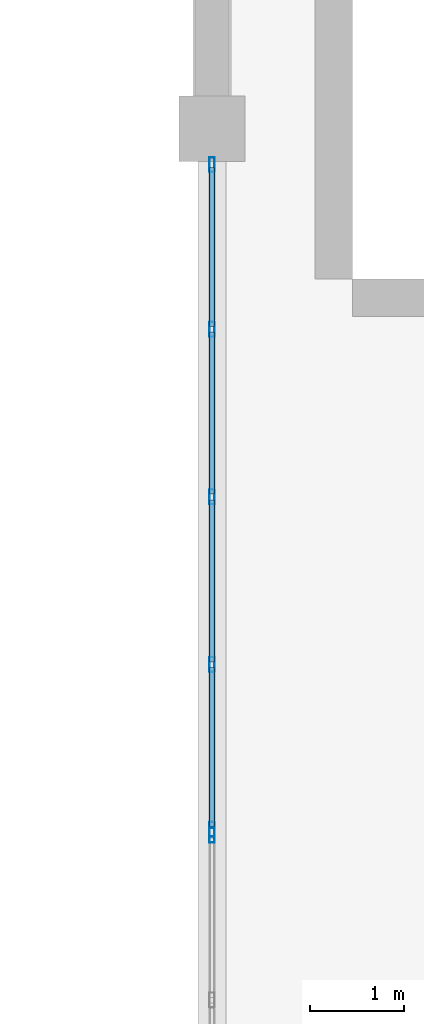
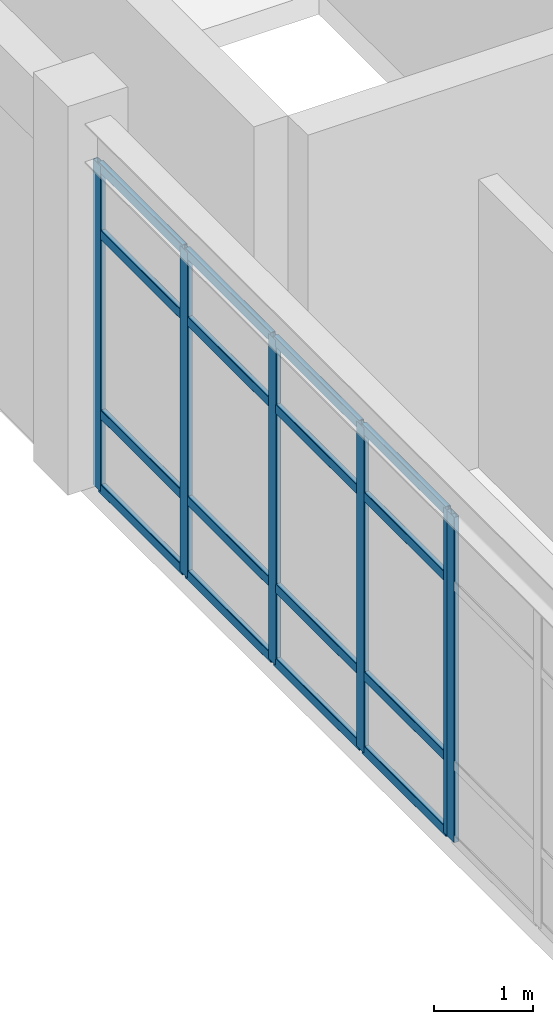
# One storey, part 20 of 64: 22 members, 2 elements without a shape of their own.
"""IFC4 building model written with IfcOpenShell, lengths in metres."""

from ifc_helpers import new_model, si_unit, derived_unit, direction, frame, origin, origin_2d, place, context, subcontext, project, spatial, hollow_rectangle, extrude, material, layer, layer_set, material_profile, profile_set, type_object, element, aggregate, save


model = new_model("IFC4")

# Units and contexts
model_context = context("Model", 3, precision=1e-05, world=origin(), true_north=direction((0.0, 1.0)))
body_context = subcontext(model_context, "Body", "Model", "MODEL_VIEW")
ifc_project = project(units=[si_unit("LENGTHUNIT", "METRE"), si_unit("AREAUNIT", "SQUARE_METRE"), si_unit("VOLUMEUNIT", "CUBIC_METRE"), si_unit("PLANEANGLEUNIT", "RADIAN"), si_unit("MASSUNIT", "GRAM", prefix="KILO"), derived_unit("THERMALTRANSMITTANCEUNIT", [(si_unit("MASSUNIT", "GRAM", prefix="KILO"), 1), (si_unit("TIMEUNIT", "SECOND"), -3), (si_unit("THERMODYNAMICTEMPERATUREUNIT", "KELVIN"), -1)])], contexts=[model_context])

# Site, building, storey
site_placement = place(None, origin())
site = spatial("IfcSite", under=ifc_project, at=site_placement, CompositionType="ELEMENT")
building_placement = place(site_placement, origin())
building = spatial("IfcBuilding", under=site, at=building_placement, Name="Qinzheling Arcade Emporium", CompositionType="ELEMENT")
storey_placement = place(building_placement, frame((0.0, 0.0, 31.5)))
storey = spatial("IfcBuildingStorey", under=building, at=storey_placement, Name="L07", CompositionType="ELEMENT", Elevation=31.5)

# Curtain wall, member
ifc_material_1 = material(Name="Anodised aluminium and solar-control double glazing", Category="aluminium")
ifc_layer = layer(ifc_material_1, 0.159912109375, Name="Anodised aluminium and solar-control double glazing", Category="aluminium")
ifc_layer_set = layer_set([ifc_layer], Name="Anodised aluminium and solar-control double glazing")
curtain_wall_type = type_object("IfcCurtainWallType", Name="Atrium Clerestory Curtain Wall", PredefinedType="NOTDEFINED", material=ifc_layer_set)
curtain_wall_1_placement = place(storey_placement, origin())
curtain_wall_1 = element("IfcCurtainWall", 1, at=curtain_wall_1_placement, inside=storey, type_object=curtain_wall_type, Name="Curtain Wall CW-L07-415", PredefinedType="NOTDEFINED")
ifc_material_2 = material(Name="Anodised aluminium 6063-T6", Category="aluminium")
ifc_material_profile_1 = material_profile(ifc_material_2, hollow_rectangle(XDim=0.06005859375, YDim=0.159912109375, WallThickness=0.00390625, InnerFilletRadius=0.00390625, OuterFilletRadius=0.008056640625, at=origin_2d()), Name="RHS 160x60x4", Category="aluminium")
ifc_profile_set_1 = profile_set([ifc_material_profile_1], Name="Anodised aluminium 6063-T6")
member_type_1 = type_object("IfcMemberType", Name="Curtain Wall Mullion RHS160x60", PredefinedType="MULLION", material=ifc_profile_set_1)
member_1_placement = place(storey_placement, frame((34.800048828125, 57.867919921875, 0.0), z_axis=(0.0, 0.0, 1.0), x_axis=(-1.0, 0.0, 0.0)))
member_1 = element("IfcMember", 2, at=member_1_placement, type_object=member_type_1, Name="CW03 mullion 5", PredefinedType="MULLION", context=body_context, shape_type="SweptSolid", body=[
    extrude(hollow_rectangle(XDim=0.06005859375, YDim=0.159912109375, WallThickness=0.00390625, InnerFilletRadius=0.00390625, OuterFilletRadius=0.008056640625, at=origin_2d()), origin(), (0.0, 0.0, 1.0), 4.01708984375),
])
aggregate(curtain_wall_1, [member_1])

# Curtain wall, members
curtain_wall_2_placement = place(storey_placement, origin())
curtain_wall_2 = element("IfcCurtainWall", 3, at=curtain_wall_2_placement, inside=storey, type_object=curtain_wall_type, Name="Curtain Wall CW-L07-416", PredefinedType="NOTDEFINED")
member_2_placement = place(storey_placement, frame((34.800048828125, 57.931884765625, 0.0), z_axis=(0.0, 0.0, 1.0), x_axis=(-1.0, 0.0, 0.0)))
member_2 = element("IfcMember", 4, at=member_2_placement, type_object=member_type_1, Name="CW03 mullion 1", PredefinedType="MULLION", context=body_context, shape_type="SweptSolid", body=[
    extrude(hollow_rectangle(XDim=0.06005859375, YDim=0.159912109375, WallThickness=0.00390625, InnerFilletRadius=0.00390625, OuterFilletRadius=0.008056640625, at=origin_2d()), origin(), (0.0, 0.0, 1.0), 4.01708984375),
])
member_3_placement = place(storey_placement, frame((34.800048828125, 59.6884765625, 0.0), z_axis=(0.0, 0.0, 1.0), x_axis=(-1.0, 0.0, 0.0)))
member_3 = element("IfcMember", 5, at=member_3_placement, type_object=member_type_1, Name="CW03 mullion 2", PredefinedType="MULLION", context=body_context, shape_type="SweptSolid", body=[
    extrude(hollow_rectangle(XDim=0.06005859375, YDim=0.159912109375, WallThickness=0.00390625, InnerFilletRadius=0.00390625, OuterFilletRadius=0.008056640625, at=origin_2d()), origin(), (0.0, 0.0, 1.0), 4.01708984375),
])
member_4_placement = place(storey_placement, frame((34.800048828125, 61.47509765625, 0.0), z_axis=(0.0, 0.0, 1.0), x_axis=(-1.0, 0.0, 0.0)))
member_4 = element("IfcMember", 6, at=member_4_placement, type_object=member_type_1, Name="CW03 mullion 3", PredefinedType="MULLION", context=body_context, shape_type="SweptSolid", body=[
    extrude(hollow_rectangle(XDim=0.06005859375, YDim=0.159912109375, WallThickness=0.00390625, InnerFilletRadius=0.00390625, OuterFilletRadius=0.008056640625, at=origin_2d()), origin(), (0.0, 0.0, 1.0), 4.01708984375),
])
member_5_placement = place(storey_placement, frame((34.800048828125, 63.261474609375, 0.0), z_axis=(0.0, 0.0, 1.0), x_axis=(-1.0, 0.0, 0.0)))
member_5 = element("IfcMember", 7, at=member_5_placement, type_object=member_type_1, Name="CW03 mullion 4", PredefinedType="MULLION", context=body_context, shape_type="SweptSolid", body=[
    extrude(hollow_rectangle(XDim=0.06005859375, YDim=0.159912109375, WallThickness=0.00390625, InnerFilletRadius=0.00390625, OuterFilletRadius=0.008056640625, at=origin_2d()), origin(), (0.0, 0.0, 1.0), 4.01708984375),
])
member_6_placement = place(storey_placement, frame((34.800048828125, 65.01806640625, 0.0), z_axis=(0.0, 0.0, 1.0), x_axis=(-1.0, 0.0, 0.0)))
member_6 = element("IfcMember", 8, at=member_6_placement, type_object=member_type_1, Name="CW03 mullion 5", PredefinedType="MULLION", context=body_context, shape_type="SweptSolid", body=[
    extrude(hollow_rectangle(XDim=0.06005859375, YDim=0.159912109375, WallThickness=0.00390625, InnerFilletRadius=0.00390625, OuterFilletRadius=0.008056640625, at=origin_2d()), origin(), (0.0, 0.0, 1.0), 4.01708984375),
])
ifc_material_profile_2 = material_profile(ifc_material_2, hollow_rectangle(XDim=0.06005859375, YDim=0.1201171875, WallThickness=0.00390625, InnerFilletRadius=0.00390625, OuterFilletRadius=0.008056640625, at=origin_2d()), Name="RHS 120x60x4", Category="aluminium")
ifc_profile_set_2 = profile_set([ifc_material_profile_2], Name="Anodised aluminium 6063-T6")
member_type_2 = type_object("IfcMemberType", Name="Curtain Wall Transom RHS120x60", PredefinedType="USERDEFINED", material=ifc_profile_set_2)
member_7_placement = place(storey_placement, frame((34.800048828125, 57.9619140625, 0.030029296875), z_axis=(0.0, 1.0, 0.0), x_axis=(-1.0, 0.0, 0.0)))
member_7 = element("IfcMember", 9, at=member_7_placement, type_object=member_type_2, Name="CW03 transom 1.1", ObjectType="TRANSOM", PredefinedType="USERDEFINED", context=body_context, shape_type="SweptSolid", body=[
    extrude(hollow_rectangle(XDim=0.06005859375, YDim=0.1201171875, WallThickness=0.00390625, InnerFilletRadius=0.00390625, OuterFilletRadius=0.008056640625, at=origin_2d()), origin(), (0.0, 0.0, 1.0), 1.696533203125),
])
member_8_placement = place(storey_placement, frame((34.800048828125, 57.9619140625, 0.949951171875), z_axis=(0.0, 1.0, 0.0), x_axis=(-1.0, 0.0, 0.0)))
member_8 = element("IfcMember", 10, at=member_8_placement, type_object=member_type_2, Name="CW03 transom 1.2", ObjectType="TRANSOM", PredefinedType="USERDEFINED", context=body_context, shape_type="SweptSolid", body=[
    extrude(hollow_rectangle(XDim=0.06005859375, YDim=0.1201171875, WallThickness=0.00390625, InnerFilletRadius=0.00390625, OuterFilletRadius=0.008056640625, at=origin_2d()), origin(), (0.0, 0.0, 1.0), 1.696533203125),
])
member_9_placement = place(storey_placement, frame((34.800048828125, 57.9619140625, 3.1669921875), z_axis=(0.0, 1.0, 0.0), x_axis=(-1.0, 0.0, 0.0)))
member_9 = element("IfcMember", 11, at=member_9_placement, type_object=member_type_2, Name="CW03 transom 1.3", ObjectType="TRANSOM", PredefinedType="USERDEFINED", context=body_context, shape_type="SweptSolid", body=[
    extrude(hollow_rectangle(XDim=0.06005859375, YDim=0.1201171875, WallThickness=0.00390625, InnerFilletRadius=0.00390625, OuterFilletRadius=0.008056640625, at=origin_2d()), origin(), (0.0, 0.0, 1.0), 1.696533203125),
])
member_10_placement = place(storey_placement, frame((34.800048828125, 57.9619140625, 3.987060546875), z_axis=(0.0, 1.0, 0.0), x_axis=(-1.0, 0.0, 0.0)))
member_10 = element("IfcMember", 12, at=member_10_placement, type_object=member_type_2, Name="CW03 transom 1.4", ObjectType="TRANSOM", PredefinedType="USERDEFINED", context=body_context, shape_type="SweptSolid", body=[
    extrude(hollow_rectangle(XDim=0.06005859375, YDim=0.1201171875, WallThickness=0.00390625, InnerFilletRadius=0.00390625, OuterFilletRadius=0.008056640625, at=origin_2d()), origin(), (0.0, 0.0, 1.0), 1.696533203125),
])
member_11_placement = place(storey_placement, frame((34.800048828125, 59.718505859375, 0.030029296875), z_axis=(0.0, 1.0, 0.0), x_axis=(-1.0, 0.0, 0.0)))
member_11 = element("IfcMember", 13, at=member_11_placement, type_object=member_type_2, Name="CW03 transom 2.1", ObjectType="TRANSOM", PredefinedType="USERDEFINED", context=body_context, shape_type="SweptSolid", body=[
    extrude(hollow_rectangle(XDim=0.06005859375, YDim=0.1201171875, WallThickness=0.00390625, InnerFilletRadius=0.00390625, OuterFilletRadius=0.008056640625, at=origin_2d()), origin(), (0.0, 0.0, 1.0), 1.7265625),
])
member_12_placement = place(storey_placement, frame((34.800048828125, 59.718505859375, 0.949951171875), z_axis=(0.0, 1.0, 0.0), x_axis=(-1.0, 0.0, 0.0)))
member_12 = element("IfcMember", 14, at=member_12_placement, type_object=member_type_2, Name="CW03 transom 2.2", ObjectType="TRANSOM", PredefinedType="USERDEFINED", context=body_context, shape_type="SweptSolid", body=[
    extrude(hollow_rectangle(XDim=0.06005859375, YDim=0.1201171875, WallThickness=0.00390625, InnerFilletRadius=0.00390625, OuterFilletRadius=0.008056640625, at=origin_2d()), origin(), (0.0, 0.0, 1.0), 1.7265625),
])
member_13_placement = place(storey_placement, frame((34.800048828125, 59.718505859375, 3.1669921875), z_axis=(0.0, 1.0, 0.0), x_axis=(-1.0, 0.0, 0.0)))
member_13 = element("IfcMember", 15, at=member_13_placement, type_object=member_type_2, Name="CW03 transom 2.3", ObjectType="TRANSOM", PredefinedType="USERDEFINED", context=body_context, shape_type="SweptSolid", body=[
    extrude(hollow_rectangle(XDim=0.06005859375, YDim=0.1201171875, WallThickness=0.00390625, InnerFilletRadius=0.00390625, OuterFilletRadius=0.008056640625, at=origin_2d()), origin(), (0.0, 0.0, 1.0), 1.7265625),
])
member_14_placement = place(storey_placement, frame((34.800048828125, 59.718505859375, 3.987060546875), z_axis=(0.0, 1.0, 0.0), x_axis=(-1.0, 0.0, 0.0)))
member_14 = element("IfcMember", 16, at=member_14_placement, type_object=member_type_2, Name="CW03 transom 2.4", ObjectType="TRANSOM", PredefinedType="USERDEFINED", context=body_context, shape_type="SweptSolid", body=[
    extrude(hollow_rectangle(XDim=0.06005859375, YDim=0.1201171875, WallThickness=0.00390625, InnerFilletRadius=0.00390625, OuterFilletRadius=0.008056640625, at=origin_2d()), origin(), (0.0, 0.0, 1.0), 1.7265625),
])
member_15_placement = place(storey_placement, frame((34.800048828125, 61.5048828125, 0.030029296875), z_axis=(0.0, 1.0, 0.0), x_axis=(-1.0, 0.0, 0.0)))
member_15 = element("IfcMember", 17, at=member_15_placement, type_object=member_type_2, Name="CW03 transom 3.1", ObjectType="TRANSOM", PredefinedType="USERDEFINED", context=body_context, shape_type="SweptSolid", body=[
    extrude(hollow_rectangle(XDim=0.06005859375, YDim=0.1201171875, WallThickness=0.00390625, InnerFilletRadius=0.00390625, OuterFilletRadius=0.008056640625, at=origin_2d()), origin(), (0.0, 0.0, 1.0), 1.7265625),
])
member_16_placement = place(storey_placement, frame((34.800048828125, 61.5048828125, 0.949951171875), z_axis=(0.0, 1.0, 0.0), x_axis=(-1.0, 0.0, 0.0)))
member_16 = element("IfcMember", 18, at=member_16_placement, type_object=member_type_2, Name="CW03 transom 3.2", ObjectType="TRANSOM", PredefinedType="USERDEFINED", context=body_context, shape_type="SweptSolid", body=[
    extrude(hollow_rectangle(XDim=0.06005859375, YDim=0.1201171875, WallThickness=0.00390625, InnerFilletRadius=0.00390625, OuterFilletRadius=0.008056640625, at=origin_2d()), origin(), (0.0, 0.0, 1.0), 1.7265625),
])
member_17_placement = place(storey_placement, frame((34.800048828125, 61.5048828125, 3.1669921875), z_axis=(0.0, 1.0, 0.0), x_axis=(-1.0, 0.0, 0.0)))
member_17 = element("IfcMember", 19, at=member_17_placement, type_object=member_type_2, Name="CW03 transom 3.3", ObjectType="TRANSOM", PredefinedType="USERDEFINED", context=body_context, shape_type="SweptSolid", body=[
    extrude(hollow_rectangle(XDim=0.06005859375, YDim=0.1201171875, WallThickness=0.00390625, InnerFilletRadius=0.00390625, OuterFilletRadius=0.008056640625, at=origin_2d()), origin(), (0.0, 0.0, 1.0), 1.7265625),
])
member_18_placement = place(storey_placement, frame((34.800048828125, 61.5048828125, 3.987060546875), z_axis=(0.0, 1.0, 0.0), x_axis=(-1.0, 0.0, 0.0)))
member_18 = element("IfcMember", 20, at=member_18_placement, type_object=member_type_2, Name="CW03 transom 3.4", ObjectType="TRANSOM", PredefinedType="USERDEFINED", context=body_context, shape_type="SweptSolid", body=[
    extrude(hollow_rectangle(XDim=0.06005859375, YDim=0.1201171875, WallThickness=0.00390625, InnerFilletRadius=0.00390625, OuterFilletRadius=0.008056640625, at=origin_2d()), origin(), (0.0, 0.0, 1.0), 1.7265625),
])
member_19_placement = place(storey_placement, frame((34.800048828125, 63.29150390625, 0.030029296875), z_axis=(0.0, 1.0, 0.0), x_axis=(-1.0, 0.0, 0.0)))
member_19 = element("IfcMember", 21, at=member_19_placement, type_object=member_type_2, Name="CW03 transom 4.1", ObjectType="TRANSOM", PredefinedType="USERDEFINED", context=body_context, shape_type="SweptSolid", body=[
    extrude(hollow_rectangle(XDim=0.06005859375, YDim=0.1201171875, WallThickness=0.00390625, InnerFilletRadius=0.00390625, OuterFilletRadius=0.008056640625, at=origin_2d()), origin(), (0.0, 0.0, 1.0), 1.696533203125),
])
member_20_placement = place(storey_placement, frame((34.800048828125, 63.29150390625, 0.949951171875), z_axis=(0.0, 1.0, 0.0), x_axis=(-1.0, 0.0, 0.0)))
member_20 = element("IfcMember", 22, at=member_20_placement, type_object=member_type_2, Name="CW03 transom 4.2", ObjectType="TRANSOM", PredefinedType="USERDEFINED", context=body_context, shape_type="SweptSolid", body=[
    extrude(hollow_rectangle(XDim=0.06005859375, YDim=0.1201171875, WallThickness=0.00390625, InnerFilletRadius=0.00390625, OuterFilletRadius=0.008056640625, at=origin_2d()), origin(), (0.0, 0.0, 1.0), 1.696533203125),
])
member_21_placement = place(storey_placement, frame((34.800048828125, 63.29150390625, 3.1669921875), z_axis=(0.0, 1.0, 0.0), x_axis=(-1.0, 0.0, 0.0)))
member_21 = element("IfcMember", 23, at=member_21_placement, type_object=member_type_2, Name="CW03 transom 4.3", ObjectType="TRANSOM", PredefinedType="USERDEFINED", context=body_context, shape_type="SweptSolid", body=[
    extrude(hollow_rectangle(XDim=0.06005859375, YDim=0.1201171875, WallThickness=0.00390625, InnerFilletRadius=0.00390625, OuterFilletRadius=0.008056640625, at=origin_2d()), origin(), (0.0, 0.0, 1.0), 1.696533203125),
])
member_22_placement = place(storey_placement, frame((34.800048828125, 63.29150390625, 3.987060546875), z_axis=(0.0, 1.0, 0.0), x_axis=(-1.0, 0.0, 0.0)))
member_22 = element("IfcMember", 24, at=member_22_placement, type_object=member_type_2, Name="CW03 transom 4.4", ObjectType="TRANSOM", PredefinedType="USERDEFINED", context=body_context, shape_type="SweptSolid", body=[
    extrude(hollow_rectangle(XDim=0.06005859375, YDim=0.1201171875, WallThickness=0.00390625, InnerFilletRadius=0.00390625, OuterFilletRadius=0.008056640625, at=origin_2d()), origin(), (0.0, 0.0, 1.0), 1.696533203125),
])
aggregate(curtain_wall_2, [member_2, member_3, member_4, member_5, member_6, member_7, member_8, member_9, member_10, member_11, member_12, member_13, member_14, member_15, member_16, member_17, member_18, member_19, member_20, member_21, member_22])

save(model, "model.ifc")
